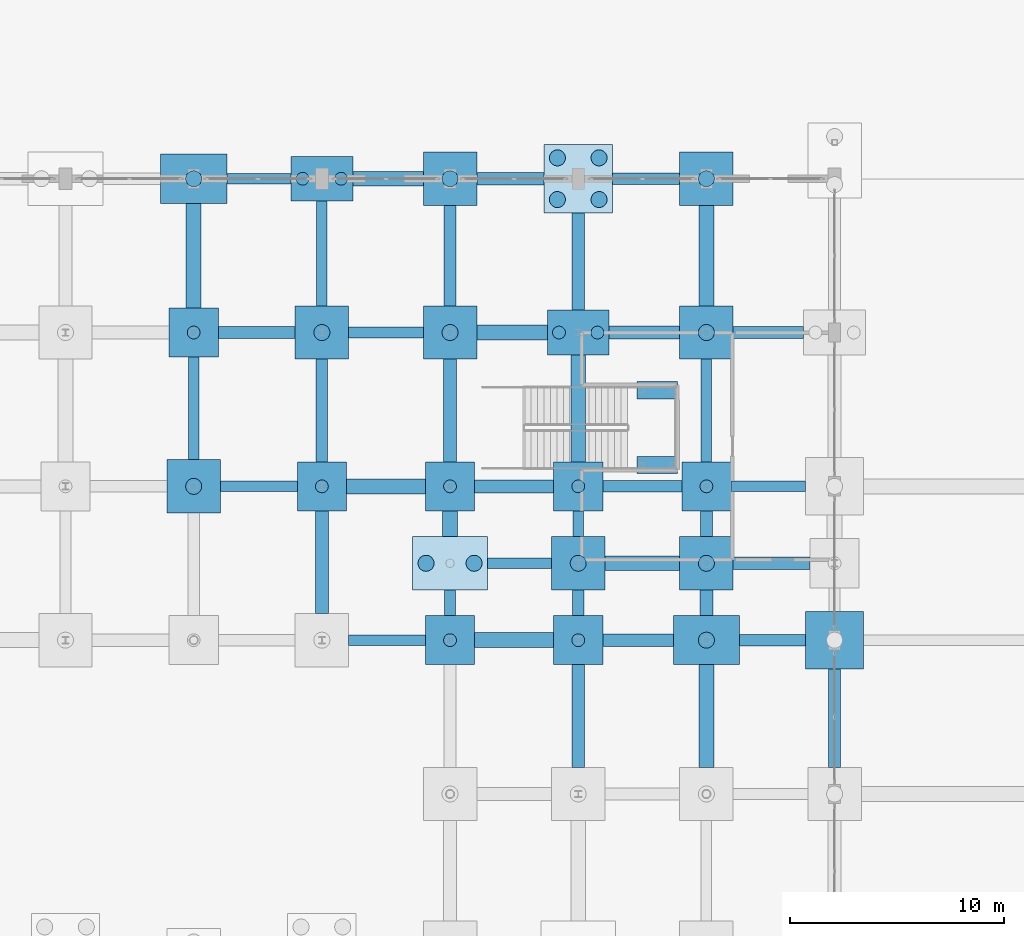
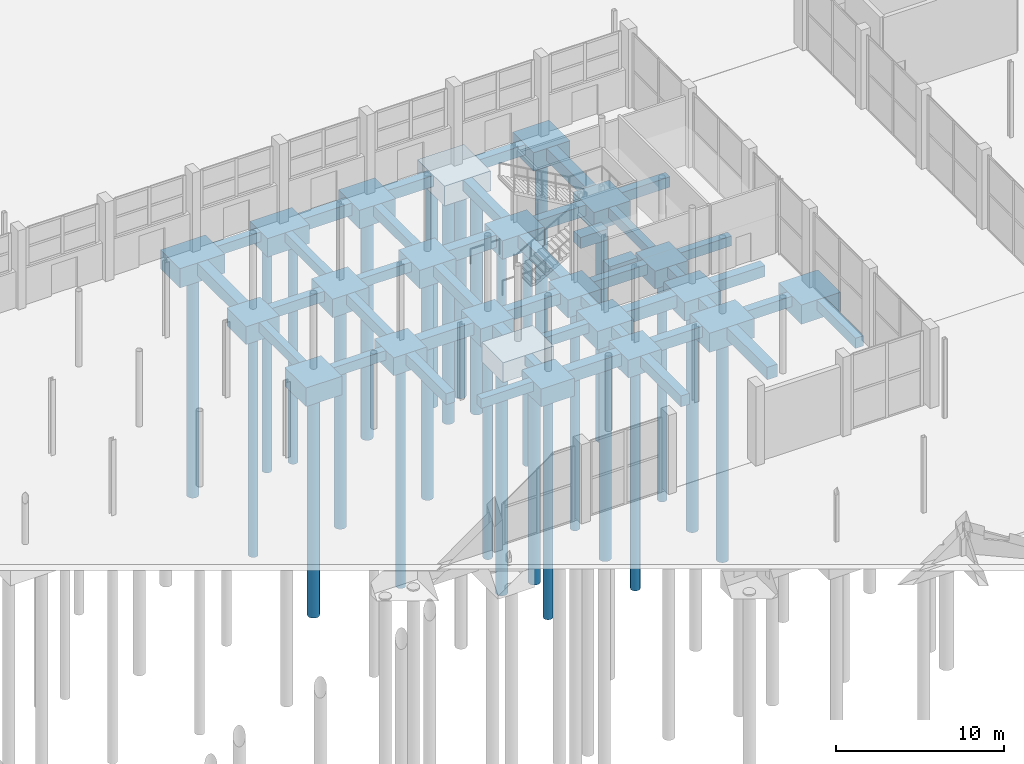
# One storey, part 7 of 103: 65 footings, 27 piles.
"""IFC4 building model written with IfcOpenShell, lengths in metres."""

from ifc_helpers import new_model, si_unit, direction, frame, origin, origin_2d, place, context, subcontext, project, spatial, rectangle, circle, extrude, material, material_profile, profile_set, type_object, element, save


model = new_model("IFC4")

# Units and contexts
model_context = context("Model", 3, precision=1e-05, world=origin(), true_north=direction((0.0, 1.0)))
body_context = subcontext(model_context, "Body", "Model", "MODEL_VIEW")
ifc_project = project(units=[si_unit("LENGTHUNIT", "METRE"), si_unit("AREAUNIT", "SQUARE_METRE"), si_unit("VOLUMEUNIT", "CUBIC_METRE"), si_unit("PLANEANGLEUNIT", "RADIAN"), si_unit("MASSUNIT", "GRAM", prefix="KILO")], contexts=[model_context])

# Site, building, storey
site_placement = place(None, origin())
site = spatial("IfcSite", under=ifc_project, at=site_placement, CompositionType="ELEMENT")
building_placement = place(site_placement, origin())
building = spatial("IfcBuilding", under=site, at=building_placement, Name="Dunvalen Ferry Terminal", CompositionType="ELEMENT")
storey_placement = place(building_placement, origin())
storey = spatial("IfcBuildingStorey", under=building, at=storey_placement, Name="L00", CompositionType="ELEMENT", Elevation=0.0)

# Footings
ifc_material = material(Name="Concrete C40/50", Category="concrete")
ifc_material_profile_1 = material_profile(ifc_material, rectangle(XDim=0.5, YDim=0.699951171875, at=origin_2d()), Name="Concrete C40/50")
ifc_profile_set_1 = profile_set([ifc_material_profile_1], Name="Concrete C40/50")
footing_type_1 = type_object("IfcFootingType", Name="STR-GB-500x700", PredefinedType="FOOTING_BEAM", material=ifc_profile_set_1)
footing_1_placement = place(storey_placement, frame((73.25, 64.800048828125, -0.669921875), z_axis=(1.0, 0.0, 0.0), x_axis=(0.0, 1.0, 0.0)))
element("IfcFooting", 1, at=footing_1_placement, inside=storey, type_object=footing_type_1, Name="L00 Ground Beam X-239", PredefinedType="FOOTING_BEAM", context=body_context, shape_type="SweptSolid", body=[
    extrude(rectangle(XDim=0.5, YDim=0.699951171875, at=origin_2d()), origin(), (0.0, 0.0, 1.0), 3.60009765625),
])
footing_2_placement = place(storey_placement, frame((79.75, 68.39990234375, -0.669921875), z_axis=(1.0, 0.0, 0.0), x_axis=(0.0, 1.0, 0.0)))
element("IfcFooting", 2, at=footing_2_placement, inside=storey, type_object=footing_type_1, Name="L00 Ground Beam X-251", PredefinedType="FOOTING_BEAM", context=body_context, shape_type="SweptSolid", body=[
    extrude(rectangle(XDim=0.5, YDim=0.699951171875, at=origin_2d()), origin(), (0.0, 0.0, 1.0), 3.0),
])
footing_3_placement = place(storey_placement, frame((67.25, 72.0, -0.669921875), z_axis=(1.0, 0.0, 0.0), x_axis=(0.0, 1.0, 0.0)))
element("IfcFooting", 3, at=footing_3_placement, inside=storey, type_object=footing_type_1, Name="L00 Ground Beam X-271", PredefinedType="FOOTING_BEAM", context=body_context, shape_type="SweptSolid", body=[
    extrude(rectangle(XDim=0.5, YDim=0.699951171875, at=origin_2d()), origin(), (0.0, 0.0, 1.0), 3.60009765625),
])
for number, where, z_axis, x_axis, name in (
    (4, (91.14990234375, 72.0, -0.669921875), (1.0, 0.0, 0.0), (0.0, 1.0, 0.0), "L00 Ground Beam X-275"),
    (5, (73.25, 79.199951171875, -0.669921875), (1.0, 0.0, 0.0), (0.0, 1.0, 0.0), "L00 Ground Beam X-299"),
):
    element("IfcFooting", number, at=place(storey_placement, frame(where, z_axis=z_axis, x_axis=x_axis)), inside=storey, type_object=footing_type_1, Name=name, PredefinedType="FOOTING_BEAM", context=body_context, shape_type="SweptSolid", body=[
        extrude(rectangle(XDim=0.5, YDim=0.699951171875, at=origin_2d()), origin(), (0.0, 0.0, 1.0), 3.5),
    ])
footing_4_placement = place(storey_placement, frame((67.550048828125, 86.39990234375, -0.669921875), z_axis=(1.0, 0.0, 0.0), x_axis=(0.0, 1.0, 0.0)))
element("IfcFooting", 6, at=footing_4_placement, inside=storey, type_object=footing_type_1, Name="L00 Ground Beam X-319", PredefinedType="FOOTING_BEAM", context=body_context, shape_type="SweptSolid", body=[
    extrude(rectangle(XDim=0.5, YDim=0.699951171875, at=origin_2d()), origin(), (0.0, 0.0, 1.0), 3.0),
])
footing_5_placement = place(storey_placement, frame((66.0, 73.25, -0.669921875), z_axis=(0.0, 1.0, 0.0), x_axis=(-1.0, 0.0, 0.0)))
element("IfcFooting", 7, at=footing_5_placement, inside=storey, type_object=footing_type_1, Name="L00 Ground Beam Y-419", PredefinedType="FOOTING_BEAM", context=body_context, shape_type="SweptSolid", body=[
    extrude(rectangle(XDim=0.5, YDim=0.699951171875, at=origin_2d()), origin(), (0.0, 0.0, 1.0), 4.800048828125),
])
footing_6_placement = place(storey_placement, frame((72.0, 80.449951171875, -0.669921875), z_axis=(0.0, 1.0, 0.0), x_axis=(-1.0, 0.0, 0.0)))
element("IfcFooting", 8, at=footing_6_placement, inside=storey, type_object=footing_type_1, Name="L00 Ground Beam Y-423", PredefinedType="FOOTING_BEAM", context=body_context, shape_type="SweptSolid", body=[
    extrude(rectangle(XDim=0.5, YDim=0.699951171875, at=origin_2d()), origin(), (0.0, 0.0, 1.0), 4.900146484375),
])
footing_7_placement = place(storey_placement, frame((78.0, 65.949951171875, -0.669921875), z_axis=(0.0, 1.0, 0.0), x_axis=(-1.0, 0.0, 0.0)))
element("IfcFooting", 9, at=footing_7_placement, inside=storey, type_object=footing_type_1, Name="L00 Ground Beam Y-427", PredefinedType="FOOTING_BEAM", context=body_context, shape_type="SweptSolid", body=[
    extrude(rectangle(XDim=0.5, YDim=0.699951171875, at=origin_2d()), origin(), (0.0, 0.0, 1.0), 1.199951171875),
])
footing_8_placement = place(storey_placement, frame((84.0, 69.64990234375, -0.669921875), z_axis=(0.0, 1.0, 0.0), x_axis=(-1.0, 0.0, 0.0)))
element("IfcFooting", 10, at=footing_8_placement, inside=storey, type_object=footing_type_1, Name="L00 Ground Beam Y-435", PredefinedType="FOOTING_BEAM", context=body_context, shape_type="SweptSolid", body=[
    extrude(rectangle(XDim=0.5, YDim=0.699951171875, at=origin_2d()), origin(), (0.0, 0.0, 1.0), 1.2001953125),
])
footing_9_placement = place(storey_placement, frame((90.0, 73.14990234375, -0.669921875), z_axis=(0.0, 1.0, 0.0), x_axis=(-1.0, 0.0, 0.0)))
element("IfcFooting", 11, at=footing_9_placement, inside=storey, type_object=footing_type_1, Name="L00 Ground Beam Y-443", PredefinedType="FOOTING_BEAM", context=body_context, shape_type="SweptSolid", body=[
    extrude(rectangle(XDim=0.5, YDim=0.699951171875, at=origin_2d()), origin(), (0.0, 0.0, 1.0), 4.800048828125),
])
ifc_material_profile_2 = material_profile(ifc_material, rectangle(XDim=0.550048828125, YDim=0.75, at=origin_2d()), Name="Concrete C40/50")
ifc_profile_set_2 = profile_set([ifc_material_profile_2], Name="Concrete C40/50")
footing_type_2 = type_object("IfcFootingType", Name="STR-GB-550x750", PredefinedType="FOOTING_BEAM", material=ifc_profile_set_2)
footing_10_placement = place(storey_placement, frame((91.550048828125, 64.800048828125, -0.695068359375), z_axis=(1.0, 0.0, 0.0), x_axis=(0.0, 1.0, 0.0)))
element("IfcFooting", 12, at=footing_10_placement, inside=storey, type_object=footing_type_2, Name="L00 Ground Beam X-242", PredefinedType="FOOTING_BEAM", context=body_context, shape_type="SweptSolid", body=[
    extrude(rectangle(XDim=0.550048828125, YDim=0.75, at=origin_2d()), origin(), (0.0, 0.0, 1.0), 3.099853515625),
])
footing_11_placement = place(storey_placement, frame((85.14990234375, 72.0, -0.695068359375), z_axis=(1.0, 0.0, 0.0), x_axis=(0.0, 1.0, 0.0)))
element("IfcFooting", 13, at=footing_11_placement, inside=storey, type_object=footing_type_2, Name="L00 Ground Beam X-274", PredefinedType="FOOTING_BEAM", context=body_context, shape_type="SweptSolid", body=[
    extrude(rectangle(XDim=0.550048828125, YDim=0.75, at=origin_2d()), origin(), (0.0, 0.0, 1.0), 3.7001953125),
])
footing_12_placement = place(storey_placement, frame((67.14990234375, 79.199951171875, -0.695068359375), z_axis=(1.0, 0.0, 0.0), x_axis=(0.0, 1.0, 0.0)))
element("IfcFooting", 14, at=footing_12_placement, inside=storey, type_object=footing_type_2, Name="L00 Ground Beam X-298", PredefinedType="FOOTING_BEAM", context=body_context, shape_type="SweptSolid", body=[
    extrude(rectangle(XDim=0.550048828125, YDim=0.75, at=origin_2d()), origin(), (0.0, 0.0, 1.0), 3.60009765625),
])
footing_13_placement = place(storey_placement, frame((91.25, 79.199951171875, -0.695068359375), z_axis=(1.0, 0.0, 0.0), x_axis=(0.0, 1.0, 0.0)))
element("IfcFooting", 15, at=footing_13_placement, inside=storey, type_object=footing_type_2, Name="L00 Ground Beam X-302", PredefinedType="FOOTING_BEAM", context=body_context, shape_type="SweptSolid", body=[
    extrude(rectangle(XDim=0.550048828125, YDim=0.75, at=origin_2d()), origin(), (0.0, 0.0, 1.0), 3.300048828125),
])
footing_14_placement = place(storey_placement, frame((85.60009765625, 86.39990234375, -0.695068359375), z_axis=(1.0, 0.0, 0.0), x_axis=(0.0, 1.0, 0.0)))
element("IfcFooting", 16, at=footing_14_placement, inside=storey, type_object=footing_type_2, Name="L00 Ground Beam X-322", PredefinedType="FOOTING_BEAM", context=body_context, shape_type="SweptSolid", body=[
    extrude(rectangle(XDim=0.550048828125, YDim=0.75, at=origin_2d()), origin(), (0.0, 0.0, 1.0), 3.14990234375),
])
footing_15_placement = place(storey_placement, frame((72.0, 73.14990234375, -0.695068359375), z_axis=(0.0, 1.0, 0.0), x_axis=(-1.0, 0.0, 0.0)))
element("IfcFooting", 17, at=footing_15_placement, inside=storey, type_object=footing_type_2, Name="L00 Ground Beam Y-422", PredefinedType="FOOTING_BEAM", context=body_context, shape_type="SweptSolid", body=[
    extrude(rectangle(XDim=0.550048828125, YDim=0.75, at=origin_2d()), origin(), (0.0, 0.0, 1.0), 4.800048828125),
])
footing_16_placement = place(storey_placement, frame((78.0, 80.449951171875, -0.695068359375), z_axis=(0.0, 1.0, 0.0), x_axis=(-1.0, 0.0, 0.0)))
element("IfcFooting", 18, at=footing_16_placement, inside=storey, type_object=footing_type_2, Name="L00 Ground Beam Y-430", PredefinedType="FOOTING_BEAM", context=body_context, shape_type="SweptSolid", body=[
    extrude(rectangle(XDim=0.550048828125, YDim=0.75, at=origin_2d()), origin(), (0.0, 0.0, 1.0), 4.699951171875),
])
footing_17_placement = place(storey_placement, frame((84.0, 65.949951171875, -0.695068359375), z_axis=(0.0, 1.0, 0.0), x_axis=(-1.0, 0.0, 0.0)))
element("IfcFooting", 19, at=footing_17_placement, inside=storey, type_object=footing_type_2, Name="L00 Ground Beam Y-434", PredefinedType="FOOTING_BEAM", context=body_context, shape_type="SweptSolid", body=[
    extrude(rectangle(XDim=0.550048828125, YDim=0.75, at=origin_2d()), origin(), (0.0, 0.0, 1.0), 1.199951171875),
])
footing_18_placement = place(storey_placement, frame((90.0, 69.64990234375, -0.695068359375), z_axis=(0.0, 1.0, 0.0), x_axis=(-1.0, 0.0, 0.0)))
element("IfcFooting", 20, at=footing_18_placement, inside=storey, type_object=footing_type_2, Name="L00 Ground Beam Y-442", PredefinedType="FOOTING_BEAM", context=body_context, shape_type="SweptSolid", body=[
    extrude(rectangle(XDim=0.550048828125, YDim=0.75, at=origin_2d()), origin(), (0.0, 0.0, 1.0), 1.2001953125),
])
footing_19_placement = place(storey_placement, frame((96.0, 58.85009765625, -0.695068359375), z_axis=(0.0, 1.0, 0.0), x_axis=(-1.0, 0.0, 0.0)))
element("IfcFooting", 21, at=footing_19_placement, inside=storey, type_object=footing_type_2, Name="L00 Ground Beam Y-446", PredefinedType="FOOTING_BEAM", context=body_context, shape_type="SweptSolid", body=[
    extrude(rectangle(XDim=0.550048828125, YDim=0.75, at=origin_2d()), origin(), (0.0, 0.0, 1.0), 4.599853515625),
])
ifc_material_profile_3 = material_profile(ifc_material, rectangle(XDim=0.60009765625, YDim=0.800048828125, at=origin_2d()), Name="Concrete C40/50")
ifc_profile_set_3 = profile_set([ifc_material_profile_3], Name="Concrete C40/50")
footing_type_3 = type_object("IfcFootingType", Name="STR-GB-600x800", PredefinedType="FOOTING_BEAM", material=ifc_profile_set_3)
footing_20_placement = place(storey_placement, frame((85.14990234375, 64.800048828125, -0.719970703125), z_axis=(1.0, 0.0, 0.0), x_axis=(0.0, 1.0, 0.0)))
element("IfcFooting", 22, at=footing_20_placement, inside=storey, type_object=footing_type_3, Name="L00 Ground Beam X-241", PredefinedType="FOOTING_BEAM", context=body_context, shape_type="SweptSolid", body=[
    extrude(rectangle(XDim=0.60009765625, YDim=0.800048828125, at=origin_2d()), origin(), (0.0, 0.0, 1.0), 3.300048828125),
])
footing_21_placement = place(storey_placement, frame((91.25, 68.39990234375, -0.719970703125), z_axis=(1.0, 0.0, 0.0), x_axis=(0.0, 1.0, 0.0)))
element("IfcFooting", 23, at=footing_21_placement, inside=storey, type_object=footing_type_3, Name="L00 Ground Beam X-253", PredefinedType="FOOTING_BEAM", context=body_context, shape_type="SweptSolid", body=[
    extrude(rectangle(XDim=0.60009765625, YDim=0.800048828125, at=origin_2d()), origin(), (0.0, 0.0, 1.0), 3.60009765625),
])
footing_22_placement = place(storey_placement, frame((79.14990234375, 72.0, -0.719970703125), z_axis=(1.0, 0.0, 0.0), x_axis=(0.0, 1.0, 0.0)))
element("IfcFooting", 24, at=footing_22_placement, inside=storey, type_object=footing_type_3, Name="L00 Ground Beam X-273", PredefinedType="FOOTING_BEAM", context=body_context, shape_type="SweptSolid", body=[
    extrude(rectangle(XDim=0.60009765625, YDim=0.800048828125, at=origin_2d()), origin(), (0.0, 0.0, 1.0), 3.7001953125),
])
footing_23_placement = place(storey_placement, frame((85.449951171875, 79.199951171875, -0.719970703125), z_axis=(1.0, 0.0, 0.0), x_axis=(0.0, 1.0, 0.0)))
element("IfcFooting", 25, at=footing_23_placement, inside=storey, type_object=footing_type_3, Name="L00 Ground Beam X-301", PredefinedType="FOOTING_BEAM", context=body_context, shape_type="SweptSolid", body=[
    extrude(rectangle(XDim=0.60009765625, YDim=0.800048828125, at=origin_2d()), origin(), (0.0, 0.0, 1.0), 3.300048828125),
])
footing_24_placement = place(storey_placement, frame((79.25, 86.39990234375, -0.719970703125), z_axis=(1.0, 0.0, 0.0), x_axis=(0.0, 1.0, 0.0)))
element("IfcFooting", 26, at=footing_24_placement, inside=storey, type_object=footing_type_3, Name="L00 Ground Beam X-321", PredefinedType="FOOTING_BEAM", context=body_context, shape_type="SweptSolid", body=[
    extrude(rectangle(XDim=0.60009765625, YDim=0.800048828125, at=origin_2d()), origin(), (0.0, 0.0, 1.0), 3.14990234375),
])
for number, where, z_axis, x_axis, name in (
    (27, (72.0, 66.050048828125, -0.719970703125), (0.0, 1.0, 0.0), (-1.0, 0.0, 0.0), "L00 Ground Beam Y-421"),
    (28, (78.0, 73.14990234375, -0.719970703125), (0.0, 1.0, 0.0), (-1.0, 0.0, 0.0), "L00 Ground Beam Y-429"),
):
    element("IfcFooting", number, at=place(storey_placement, frame(where, z_axis=z_axis, x_axis=x_axis)), inside=storey, type_object=footing_type_3, Name=name, PredefinedType="FOOTING_BEAM", context=body_context, shape_type="SweptSolid", body=[
        extrude(rectangle(XDim=0.60009765625, YDim=0.800048828125, at=origin_2d()), origin(), (0.0, 0.0, 1.0), 4.800048828125),
    ])
footing_25_placement = place(storey_placement, frame((84.0, 58.85009765625, -0.719970703125), z_axis=(0.0, 1.0, 0.0), x_axis=(-1.0, 0.0, 0.0)))
element("IfcFooting", 29, at=footing_25_placement, inside=storey, type_object=footing_type_3, Name="L00 Ground Beam Y-433", PredefinedType="FOOTING_BEAM", context=body_context, shape_type="SweptSolid", body=[
    extrude(rectangle(XDim=0.60009765625, YDim=0.800048828125, at=origin_2d()), origin(), (0.0, 0.0, 1.0), 4.7998046875),
])
footing_26_placement = place(storey_placement, frame((84.0, 80.25, -0.719970703125), z_axis=(0.0, 1.0, 0.0), x_axis=(-1.0, 0.0, 0.0)))
element("IfcFooting", 30, at=footing_26_placement, inside=storey, type_object=footing_type_3, Name="L00 Ground Beam Y-437", PredefinedType="FOOTING_BEAM", context=body_context, shape_type="SweptSolid", body=[
    extrude(rectangle(XDim=0.60009765625, YDim=0.800048828125, at=origin_2d()), origin(), (0.0, 0.0, 1.0), 4.550048828125),
])
footing_27_placement = place(storey_placement, frame((90.0, 65.949951171875, -0.719970703125), z_axis=(0.0, 1.0, 0.0), x_axis=(-1.0, 0.0, 0.0)))
element("IfcFooting", 31, at=footing_27_placement, inside=storey, type_object=footing_type_3, Name="L00 Ground Beam Y-441", PredefinedType="FOOTING_BEAM", context=body_context, shape_type="SweptSolid", body=[
    extrude(rectangle(XDim=0.60009765625, YDim=0.800048828125, at=origin_2d()), origin(), (0.0, 0.0, 1.0), 1.199951171875),
])
ifc_material_profile_4 = material_profile(ifc_material, rectangle(XDim=0.699951171875, YDim=0.89990234375, at=origin_2d()), Name="Concrete C40/50")
ifc_profile_set_4 = profile_set([ifc_material_profile_4], Name="Concrete C40/50")
footing_type_4 = type_object("IfcFootingType", Name="STR-GB-700x900", PredefinedType="FOOTING_BEAM", material=ifc_profile_set_4)
footing_28_placement = place(storey_placement, frame((79.14990234375, 64.800048828125, -0.77001953125), z_axis=(1.0, 0.0, 0.0), x_axis=(0.0, 1.0, 0.0)))
element("IfcFooting", 32, at=footing_28_placement, inside=storey, type_object=footing_type_4, Name="L00 Ground Beam X-240", PredefinedType="FOOTING_BEAM", context=body_context, shape_type="SweptSolid", body=[
    extrude(rectangle(XDim=0.699951171875, YDim=0.89990234375, at=origin_2d()), origin(), (0.0, 0.0, 1.0), 3.7001953125),
])
footing_29_placement = place(storey_placement, frame((85.25, 68.39990234375, -0.77001953125), z_axis=(1.0, 0.0, 0.0), x_axis=(0.0, 1.0, 0.0)))
element("IfcFooting", 33, at=footing_29_placement, inside=storey, type_object=footing_type_4, Name="L00 Ground Beam X-252", PredefinedType="FOOTING_BEAM", context=body_context, shape_type="SweptSolid", body=[
    extrude(rectangle(XDim=0.699951171875, YDim=0.89990234375, at=origin_2d()), origin(), (0.0, 0.0, 1.0), 3.5),
])
footing_30_placement = place(storey_placement, frame((73.14990234375, 72.0, -0.77001953125), z_axis=(1.0, 0.0, 0.0), x_axis=(0.0, 1.0, 0.0)))
element("IfcFooting", 34, at=footing_30_placement, inside=storey, type_object=footing_type_4, Name="L00 Ground Beam X-272", PredefinedType="FOOTING_BEAM", context=body_context, shape_type="SweptSolid", body=[
    extrude(rectangle(XDim=0.699951171875, YDim=0.89990234375, at=origin_2d()), origin(), (0.0, 0.0, 1.0), 3.7001953125),
])
for number, where, z_axis, x_axis, name in (
    (35, (79.25, 79.199951171875, -0.77001953125), (1.0, 0.0, 0.0), (0.0, 1.0, 0.0), "L00 Ground Beam X-300"),
    (36, (73.449951171875, 86.39990234375, -0.77001953125), (1.0, 0.0, 0.0), (0.0, 1.0, 0.0), "L00 Ground Beam X-320"),
):
    element("IfcFooting", number, at=place(storey_placement, frame(where, z_axis=z_axis, x_axis=x_axis)), inside=storey, type_object=footing_type_4, Name=name, PredefinedType="FOOTING_BEAM", context=body_context, shape_type="SweptSolid", body=[
        extrude(rectangle(XDim=0.699951171875, YDim=0.89990234375, at=origin_2d()), origin(), (0.0, 0.0, 1.0), 3.300048828125),
    ])
footing_31_placement = place(storey_placement, frame((66.0, 80.35009765625, -0.77001953125), z_axis=(0.0, 1.0, 0.0), x_axis=(-1.0, 0.0, 0.0)))
element("IfcFooting", 37, at=footing_31_placement, inside=storey, type_object=footing_type_4, Name="L00 Ground Beam Y-420", PredefinedType="FOOTING_BEAM", context=body_context, shape_type="SweptSolid", body=[
    extrude(rectangle(XDim=0.699951171875, YDim=0.89990234375, at=origin_2d()), origin(), (0.0, 0.0, 1.0), 4.89990234375),
])
footing_32_placement = place(storey_placement, frame((78.0, 69.64990234375, -0.77001953125), z_axis=(0.0, 1.0, 0.0), x_axis=(-1.0, 0.0, 0.0)))
element("IfcFooting", 38, at=footing_32_placement, inside=storey, type_object=footing_type_4, Name="L00 Ground Beam Y-428", PredefinedType="FOOTING_BEAM", context=body_context, shape_type="SweptSolid", body=[
    extrude(rectangle(XDim=0.699951171875, YDim=0.89990234375, at=origin_2d()), origin(), (0.0, 0.0, 1.0), 1.2001953125),
])
footing_33_placement = place(storey_placement, frame((84.0, 73.14990234375, -0.77001953125), z_axis=(0.0, 1.0, 0.0), x_axis=(-1.0, 0.0, 0.0)))
element("IfcFooting", 39, at=footing_33_placement, inside=storey, type_object=footing_type_4, Name="L00 Ground Beam Y-436", PredefinedType="FOOTING_BEAM", context=body_context, shape_type="SweptSolid", body=[
    extrude(rectangle(XDim=0.699951171875, YDim=0.89990234375, at=origin_2d()), origin(), (0.0, 0.0, 1.0), 5.0),
])
footing_34_placement = place(storey_placement, frame((90.0, 58.85009765625, -0.77001953125), z_axis=(0.0, 1.0, 0.0), x_axis=(-1.0, 0.0, 0.0)))
element("IfcFooting", 40, at=footing_34_placement, inside=storey, type_object=footing_type_4, Name="L00 Ground Beam Y-440", PredefinedType="FOOTING_BEAM", context=body_context, shape_type="SweptSolid", body=[
    extrude(rectangle(XDim=0.699951171875, YDim=0.89990234375, at=origin_2d()), origin(), (0.0, 0.0, 1.0), 4.7998046875),
])
footing_35_placement = place(storey_placement, frame((90.0, 80.449951171875, -0.77001953125), z_axis=(0.0, 1.0, 0.0), x_axis=(-1.0, 0.0, 0.0)))
element("IfcFooting", 41, at=footing_35_placement, inside=storey, type_object=footing_type_4, Name="L00 Ground Beam Y-444", PredefinedType="FOOTING_BEAM", context=body_context, shape_type="SweptSolid", body=[
    extrude(rectangle(XDim=0.699951171875, YDim=0.89990234375, at=origin_2d()), origin(), (0.0, 0.0, 1.0), 4.699951171875),
])
footing_type_5 = type_object("IfcFootingType", Name="STR-PC-04", PredefinedType="PILE_CAP", material=ifc_material)
for number, where, z_axis, x_axis, name in (
    (42, (66.0, 79.199951171875, -1.6201171875), (0.0, 0.0, 1.0), (1.0, 0.0, 0.0), "L00 Pile Cap 098"),
    (43, (72.0, 72.0, -1.6201171875), (0.0, 0.0, 1.0), (1.0, 0.0, 0.0), "L00 Pile Cap 102"),
    (44, (78.0, 64.800048828125, -1.6201171875), (0.0, 0.0, 1.0), (1.0, 0.0, 0.0), "L00 Pile Cap 108"),
    (45, (78.0, 72.0, -1.6201171875), (0.0, 0.0, 1.0), (1.0, 0.0, 0.0), "L00 Pile Cap 110"),
    (46, (84.0, 64.800048828125, -1.6201171875), (0.0, 0.0, 1.0), (1.0, 0.0, 0.0), "L00 Pile Cap 116"),
    (47, (84.0, 72.0, -1.6201171875), (0.0, 0.0, 1.0), (1.0, 0.0, 0.0), "L00 Pile Cap 118"),
    (48, (90.0, 72.0, -1.6201171875), (0.0, 0.0, 1.0), (1.0, 0.0, 0.0), "L00 Pile Cap 126"),
):
    element("IfcFooting", number, at=place(storey_placement, frame(where, z_axis=z_axis, x_axis=x_axis)), inside=storey, type_object=footing_type_5, Name=name, PredefinedType="PILE_CAP", context=body_context, shape_type="SweptSolid", body=[
        extrude(rectangle(XDim=2.300048828125, YDim=2.300048828125, at=origin_2d()), origin(), (0.0, 0.0, 1.0), 1.300048828125),
    ])
footing_type_6 = type_object("IfcFootingType", Name="STR-PC-05", PredefinedType="PILE_CAP", material=ifc_material)
for number, where, z_axis, x_axis, name in (
    (49, (66.0, 72.0, -1.670166015625), (0.0, 0.0, 1.0), (1.0, 0.0, 0.0), "L00 Pile Cap 097"),
    (50, (72.0, 79.199951171875, -1.670166015625), (0.0, 0.0, 1.0), (1.0, 0.0, 0.0), "L00 Pile Cap 103"),
    (51, (78.0, 79.199951171875, -1.670166015625), (0.0, 0.0, 1.0), (1.0, 0.0, 0.0), "L00 Pile Cap 111"),
    (52, (78.0, 86.39990234375, -1.670166015625), (0.0, 0.0, 1.0), (1.0, 0.0, 0.0), "L00 Pile Cap 112"),
    (53, (84.0, 68.39990234375, -1.670166015625), (0.0, 0.0, 1.0), (1.0, 0.0, 0.0), "L00 Pile Cap 117"),
    (54, (90.0, 68.39990234375, -1.670166015625), (0.0, 0.0, 1.0), (1.0, 0.0, 0.0), "L00 Pile Cap 125"),
    (55, (90.0, 79.199951171875, -1.670166015625), (0.0, 0.0, 1.0), (1.0, 0.0, 0.0), "L00 Pile Cap 127"),
    (56, (90.0, 86.39990234375, -1.670166015625), (0.0, 0.0, 1.0), (1.0, 0.0, 0.0), "L00 Pile Cap 128"),
):
    element("IfcFooting", number, at=place(storey_placement, frame(where, z_axis=z_axis, x_axis=x_axis)), inside=storey, type_object=footing_type_6, Name=name, PredefinedType="PILE_CAP", context=body_context, shape_type="SweptSolid", body=[
        extrude(rectangle(XDim=2.5, YDim=2.5, at=origin_2d()), origin(), (0.0, 0.0, 1.0), 1.35009765625),
    ])
footing_type_7 = type_object("IfcFootingType", Name="STR-PC-06", PredefinedType="PILE_CAP", material=ifc_material)
footing_36_placement = place(storey_placement, frame((96.0, 64.800048828125, -1.719970703125), z_axis=(0.0, 0.0, 1.0), x_axis=(1.0, 0.0, 0.0)))
element("IfcFooting", 57, at=footing_36_placement, inside=storey, type_object=footing_type_7, Name="L00 Pile Cap 131", PredefinedType="PILE_CAP", context=body_context, shape_type="SweptSolid", body=[
    extrude(rectangle(XDim=2.699951171875, YDim=2.699951171875, at=origin_2d()), origin(), (0.0, 0.0, 1.0), 1.39990234375),
])
footing_type_8 = type_object("IfcFootingType", Name="STR-PC-07", PredefinedType="PILE_CAP", material=ifc_material)
for number, where, z_axis, x_axis, name in (
    (58, (72.0, 86.39990234375, -1.670166015625), (0.0, 0.0, 1.0), (1.0, 0.0, 0.0), "L00 Pile Cap 104"),
    (59, (84.0, 79.199951171875, -1.670166015625), (0.0, 0.0, 1.0), (1.0, 0.0, 0.0), "L00 Pile Cap 119"),
):
    element("IfcFooting", number, at=place(storey_placement, frame(where, z_axis=z_axis, x_axis=x_axis)), inside=storey, type_object=footing_type_8, Name=name, PredefinedType="PILE_CAP", context=body_context, shape_type="SweptSolid", body=[
        extrude(rectangle(XDim=2.89990234375, YDim=2.10009765625, at=origin_2d()), origin(), (0.0, 0.0, 1.0), 1.35009765625),
    ])
footing_type_9 = type_object("IfcFootingType", Name="STR-PC-08", PredefinedType="PILE_CAP", material=ifc_material)
for number, where, z_axis, x_axis, name in (
    (60, (66.0, 86.39990234375, -1.719970703125), (0.0, 0.0, 1.0), (1.0, 0.0, 0.0), "L00 Pile Cap 099"),
    (61, (90.0, 64.800048828125, -1.719970703125), (0.0, 0.0, 1.0), (1.0, 0.0, 0.0), "L00 Pile Cap 124"),
):
    element("IfcFooting", number, at=place(storey_placement, frame(where, z_axis=z_axis, x_axis=x_axis)), inside=storey, type_object=footing_type_9, Name=name, PredefinedType="PILE_CAP", context=body_context, shape_type="SweptSolid", body=[
        extrude(rectangle(XDim=3.10009765625, YDim=2.300048828125, at=origin_2d()), origin(), (0.0, 0.0, 1.0), 1.39990234375),
    ])
footing_type_10 = type_object("IfcFootingType", Name="STR-PC-09", PredefinedType="PILE_CAP", material=ifc_material)
footing_37_placement = place(storey_placement, frame((84.0, 86.39990234375, -1.77001953125), z_axis=(0.0, 0.0, 1.0), x_axis=(1.0, 0.0, 0.0)))
element("IfcFooting", 62, at=footing_37_placement, inside=storey, type_object=footing_type_10, Name="L00 Pile Cap 120", PredefinedType="PILE_CAP", context=body_context, shape_type="SweptSolid", body=[
    extrude(rectangle(XDim=3.199951171875, YDim=3.199951171875, at=origin_2d()), origin(), (0.0, 0.0, 1.0), 1.449951171875),
])
footing_type_11 = type_object("IfcFootingType", Name="STR-PC-10", PredefinedType="PILE_CAP", material=ifc_material)
footing_38_placement = place(storey_placement, frame((78.0, 68.39990234375, -1.77001953125), z_axis=(0.0, 0.0, 1.0), x_axis=(1.0, 0.0, 0.0)))
element("IfcFooting", 63, at=footing_38_placement, inside=storey, type_object=footing_type_11, Name="L00 Pile Cap 109", PredefinedType="PILE_CAP", context=body_context, shape_type="SweptSolid", body=[
    extrude(rectangle(XDim=3.5, YDim=2.5, at=origin_2d()), origin(), (0.0, 0.0, 1.0), 1.449951171875),
])

# Piles
ifc_material_profile_5 = material_profile(ifc_material, circle(Radius=0.300048828125, at=origin_2d()), Name="Concrete C40/50")
ifc_profile_set_5 = profile_set([ifc_material_profile_5], Name="Concrete C40/50")
pile_type_1 = type_object("IfcPileType", Name="STR-PILE-P600", PredefinedType="BORED", material=ifc_profile_set_5)
for number, where, z_axis, x_axis, name in (
    (64, (66.0, 79.199951171875, -1.52001953125), (0.0, 0.0, -1.0), (1.0, 0.0, 0.0), "L00 Bored Pile 098.1"),
    (65, (72.0, 72.0, -1.52001953125), (0.0, 0.0, -1.0), (1.0, 0.0, 0.0), "L00 Bored Pile 102.1"),
):
    element("IfcPile", number, at=place(storey_placement, frame(where, z_axis=z_axis, x_axis=x_axis)), inside=storey, type_object=pile_type_1, Name=name, PredefinedType="BORED", context=body_context, shape_type="SweptSolid", body=[
        extrude(circle(Radius=0.300048828125, at=origin_2d()), origin(), (0.0, 0.0, 1.0), 16.47998046875),
    ])
for number, where, z_axis, x_axis, name in (
    (66, (71.10009765625, 86.39990234375, -1.570068359375), (0.0, 0.0, -1.0), (1.0, 0.0, 0.0), "L00 Bored Pile 104.1"),
    (67, (72.89990234375, 86.39990234375, -1.570068359375), (0.0, 0.0, -1.0), (1.0, 0.0, 0.0), "L00 Bored Pile 104.2"),
):
    element("IfcPile", number, at=place(storey_placement, frame(where, z_axis=z_axis, x_axis=x_axis)), inside=storey, type_object=pile_type_1, Name=name, PredefinedType="BORED", context=body_context, shape_type="SweptSolid", body=[
        extrude(circle(Radius=0.300048828125, at=origin_2d()), origin(), (0.0, 0.0, 1.0), 16.429931640625),
    ])
for number, where, z_axis, x_axis, name in (
    (68, (78.0, 64.800048828125, -1.52001953125), (0.0, 0.0, -1.0), (1.0, 0.0, 0.0), "L00 Bored Pile 108.1"),
    (69, (78.0, 72.0, -1.52001953125), (0.0, 0.0, -1.0), (1.0, 0.0, 0.0), "L00 Bored Pile 110.1"),
    (70, (84.0, 64.800048828125, -1.52001953125), (0.0, 0.0, -1.0), (1.0, 0.0, 0.0), "L00 Bored Pile 116.1"),
    (71, (84.0, 72.0, -1.52001953125), (0.0, 0.0, -1.0), (1.0, 0.0, 0.0), "L00 Bored Pile 118.1"),
):
    element("IfcPile", number, at=place(storey_placement, frame(where, z_axis=z_axis, x_axis=x_axis)), inside=storey, type_object=pile_type_1, Name=name, PredefinedType="BORED", context=body_context, shape_type="SweptSolid", body=[
        extrude(circle(Radius=0.300048828125, at=origin_2d()), origin(), (0.0, 0.0, 1.0), 16.47998046875),
    ])
for number, where, z_axis, x_axis, name in (
    (72, (83.10009765625, 79.199951171875, -1.570068359375), (0.0, 0.0, -1.0), (1.0, 0.0, 0.0), "L00 Bored Pile 119.1"),
    (73, (84.89990234375, 79.199951171875, -1.570068359375), (0.0, 0.0, -1.0), (1.0, 0.0, 0.0), "L00 Bored Pile 119.2"),
):
    element("IfcPile", number, at=place(storey_placement, frame(where, z_axis=z_axis, x_axis=x_axis)), inside=storey, type_object=pile_type_1, Name=name, PredefinedType="BORED", context=body_context, shape_type="SweptSolid", body=[
        extrude(circle(Radius=0.300048828125, at=origin_2d()), origin(), (0.0, 0.0, 1.0), 16.429931640625),
    ])
pile_1_placement = place(storey_placement, frame((90.0, 72.0, -1.52001953125), z_axis=(0.0, 0.0, -1.0), x_axis=(1.0, 0.0, 0.0)))
element("IfcPile", 74, at=pile_1_placement, inside=storey, type_object=pile_type_1, Name="L00 Bored Pile 126.1", PredefinedType="BORED", context=body_context, shape_type="SweptSolid", body=[
    extrude(circle(Radius=0.300048828125, at=origin_2d()), origin(), (0.0, 0.0, 1.0), 16.47998046875),
])
ifc_material_profile_6 = material_profile(ifc_material, circle(Radius=0.375, at=origin_2d()), Name="Concrete C40/50")
ifc_profile_set_6 = profile_set([ifc_material_profile_6], Name="Concrete C40/50")
pile_type_2 = type_object("IfcPileType", Name="STR-PILE-P750", PredefinedType="BORED", material=ifc_profile_set_6)
pile_2_placement = place(storey_placement, frame((66.0, 72.0, -1.570068359375), z_axis=(0.0, 0.0, -1.0), x_axis=(1.0, 0.0, 0.0)))
element("IfcPile", 75, at=pile_2_placement, inside=storey, type_object=pile_type_2, Name="L00 Bored Pile 097.1", PredefinedType="BORED", context=body_context, shape_type="SweptSolid", body=[
    extrude(circle(Radius=0.375, at=origin_2d()), origin(), (0.0, 0.0, 1.0), 16.429931640625),
])
pile_3_placement = place(storey_placement, frame((66.0, 86.39990234375, -1.6201171875), z_axis=(0.0, 0.0, -1.0), x_axis=(1.0, 0.0, 0.0)))
element("IfcPile", 76, at=pile_3_placement, inside=storey, type_object=pile_type_2, Name="L00 Bored Pile 099.1", PredefinedType="BORED", context=body_context, shape_type="SweptSolid", body=[
    extrude(circle(Radius=0.375, at=origin_2d()), origin(), (0.0, 0.0, 1.0), 16.3798828125),
])
pile_4_placement = place(storey_placement, frame((72.0, 79.199951171875, -1.570068359375), z_axis=(0.0, 0.0, -1.0), x_axis=(1.0, 0.0, 0.0)))
element("IfcPile", 77, at=pile_4_placement, inside=storey, type_object=pile_type_2, Name="L00 Bored Pile 103.1", PredefinedType="BORED", context=body_context, shape_type="SweptSolid", body=[
    extrude(circle(Radius=0.375, at=origin_2d()), origin(), (0.0, 0.0, 1.0), 16.429931640625),
])
for number, where, z_axis, x_axis, name in (
    (78, (76.875, 68.39990234375, -1.669921875), (0.0, 0.0, -1.0), (1.0, 0.0, 0.0), "L00 Bored Pile 109.1"),
    (79, (79.125, 68.39990234375, -1.669921875), (0.0, 0.0, -1.0), (1.0, 0.0, 0.0), "L00 Bored Pile 109.2"),
):
    element("IfcPile", number, at=place(storey_placement, frame(where, z_axis=z_axis, x_axis=x_axis)), inside=storey, type_object=pile_type_2, Name=name, PredefinedType="BORED", context=body_context, shape_type="SweptSolid", body=[
        extrude(circle(Radius=0.375, at=origin_2d()), origin(), (0.0, 0.0, 1.0), 16.330078125),
    ])
for number, where, z_axis, x_axis, name in (
    (80, (78.0, 79.199951171875, -1.570068359375), (0.0, 0.0, -1.0), (1.0, 0.0, 0.0), "L00 Bored Pile 111.1"),
    (81, (78.0, 86.39990234375, -1.570068359375), (0.0, 0.0, -1.0), (1.0, 0.0, 0.0), "L00 Bored Pile 112.1"),
    (82, (84.0, 68.39990234375, -1.570068359375), (0.0, 0.0, -1.0), (1.0, 0.0, 0.0), "L00 Bored Pile 117.1"),
):
    element("IfcPile", number, at=place(storey_placement, frame(where, z_axis=z_axis, x_axis=x_axis)), inside=storey, type_object=pile_type_2, Name=name, PredefinedType="BORED", context=body_context, shape_type="SweptSolid", body=[
        extrude(circle(Radius=0.375, at=origin_2d()), origin(), (0.0, 0.0, 1.0), 16.429931640625),
    ])
for number, where, z_axis, x_axis, name in (
    (83, (83.02490234375, 85.425048828125, -1.669921875), (0.0, 0.0, -1.0), (1.0, 0.0, 0.0), "L00 Bored Pile 120.1"),
    (84, (84.97509765625, 85.425048828125, -1.669921875), (0.0, 0.0, -1.0), (1.0, 0.0, 0.0), "L00 Bored Pile 120.2"),
    (85, (83.02490234375, 87.375, -1.669921875), (0.0, 0.0, -1.0), (1.0, 0.0, 0.0), "L00 Bored Pile 120.3"),
    (86, (84.97509765625, 87.375, -1.669921875), (0.0, 0.0, -1.0), (1.0, 0.0, 0.0), "L00 Bored Pile 120.4"),
):
    element("IfcPile", number, at=place(storey_placement, frame(where, z_axis=z_axis, x_axis=x_axis)), inside=storey, type_object=pile_type_2, Name=name, PredefinedType="BORED", context=body_context, shape_type="SweptSolid", body=[
        extrude(circle(Radius=0.375, at=origin_2d()), origin(), (0.0, 0.0, 1.0), 16.330078125),
    ])
pile_5_placement = place(storey_placement, frame((90.0, 64.800048828125, -1.6201171875), z_axis=(0.0, 0.0, -1.0), x_axis=(1.0, 0.0, 0.0)))
element("IfcPile", 87, at=pile_5_placement, inside=storey, type_object=pile_type_2, Name="L00 Bored Pile 124.1", PredefinedType="BORED", context=body_context, shape_type="SweptSolid", body=[
    extrude(circle(Radius=0.375, at=origin_2d()), origin(), (0.0, 0.0, 1.0), 16.3798828125),
])
for number, where, z_axis, x_axis, name in (
    (88, (90.0, 68.39990234375, -1.570068359375), (0.0, 0.0, -1.0), (1.0, 0.0, 0.0), "L00 Bored Pile 125.1"),
    (89, (90.0, 79.199951171875, -1.570068359375), (0.0, 0.0, -1.0), (1.0, 0.0, 0.0), "L00 Bored Pile 127.1"),
    (90, (90.0, 86.39990234375, -1.570068359375), (0.0, 0.0, -1.0), (1.0, 0.0, 0.0), "L00 Bored Pile 128.1"),
):
    element("IfcPile", number, at=place(storey_placement, frame(where, z_axis=z_axis, x_axis=x_axis)), inside=storey, type_object=pile_type_2, Name=name, PredefinedType="BORED", context=body_context, shape_type="SweptSolid", body=[
        extrude(circle(Radius=0.375, at=origin_2d()), origin(), (0.0, 0.0, 1.0), 16.429931640625),
    ])

# Footings
ifc_material_profile_7 = material_profile(ifc_material, rectangle(XDim=0.800048828125, YDim=0.800048828125, at=origin_2d()), Name="Concrete C40/50")
ifc_profile_set_7 = profile_set([ifc_material_profile_7], Name="Concrete C40/50")
footing_type_12 = type_object("IfcFootingType", Name="STR-SF-800x800", PredefinedType="STRIP_FOOTING", material=ifc_profile_set_7)
for number, where, z_axis, x_axis, name in (
    (91, (86.75, 73.0, -0.719970703125), (1.0, 0.0, 0.0), (0.0, 1.0, 0.0), "L00 ST8 Feature Stair South Strip Footing"),
    (92, (86.75, 76.5, -0.719970703125), (1.0, 0.0, 0.0), (0.0, 1.0, 0.0), "L00 ST8 Feature Stair North Strip Footing"),
):
    element("IfcFooting", number, at=place(storey_placement, frame(where, z_axis=z_axis, x_axis=x_axis)), inside=storey, type_object=footing_type_12, Name=name, PredefinedType="STRIP_FOOTING", context=body_context, shape_type="SweptSolid", body=[
        extrude(rectangle(XDim=0.800048828125, YDim=0.800048828125, at=origin_2d()), origin(), (0.0, 0.0, 1.0), 1.89990234375),
    ])

save(model, "model.ifc")
